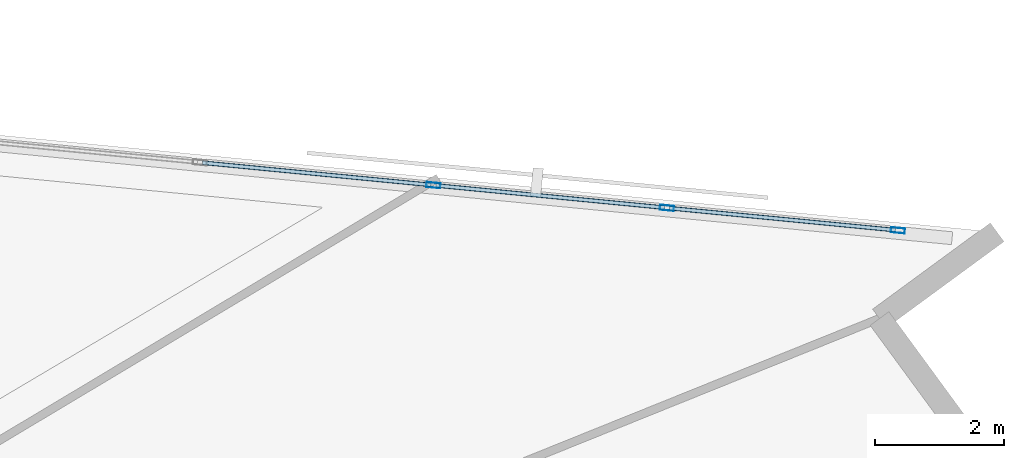
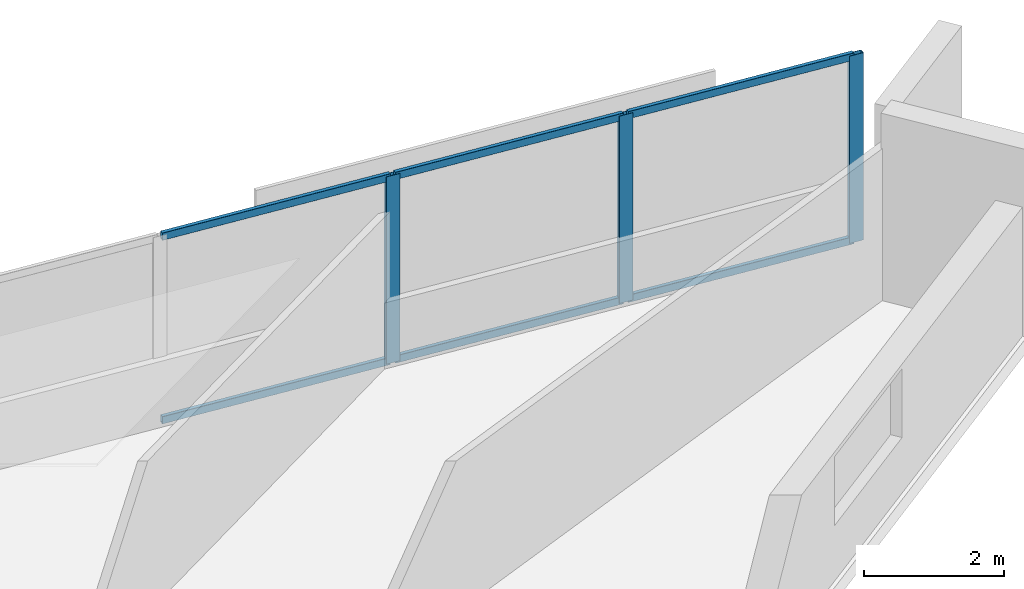
# One storey, part 6 of 13: 9 members, 1 element without a shape of its own.
"""IFC4 building model written with IfcOpenShell, lengths in metres."""

from ifc_helpers import new_model, si_unit, direction, frame, origin, origin_2d, place, context, subcontext, project, spatial, hollow_rectangle, extrude, material, material_profile, profile_set, type_object, element, aggregate, save


model = new_model("IFC4")

# Units and contexts
model_context = context("Model", 3, precision=1e-05, world=origin(), true_north=direction((0.0, 1.0)))
body_context = subcontext(model_context, "Body", "Model", "MODEL_VIEW")
ifc_project = project(units=[si_unit("LENGTHUNIT", "METRE"), si_unit("AREAUNIT", "SQUARE_METRE"), si_unit("VOLUMEUNIT", "CUBIC_METRE"), si_unit("PLANEANGLEUNIT", "RADIAN"), si_unit("MASSUNIT", "GRAM", prefix="KILO")], contexts=[model_context])

# Site, building, storey
site_placement = place(None, origin())
site = spatial("IfcSite", under=ifc_project, at=site_placement, CompositionType="ELEMENT")
building_placement = place(site_placement, origin())
building = spatial("IfcBuilding", under=site, at=building_placement, Name="Narakoshi Arena Tower", CompositionType="ELEMENT")
storey_placement = place(building_placement, frame((0.0, 0.0, 253.699951171875)))
storey = spatial("IfcBuildingStorey", under=building, at=storey_placement, Name="L69", CompositionType="ELEMENT", Elevation=253.699951171875)

# Curtain wall, members
ifc_material = material(Name="Anodised bronze aluminium 6063-T6", Category="aluminium")
curtain_wall_type = type_object("IfcCurtainWallType", Name="CW-HYP-HIGH", PredefinedType="NOTDEFINED", material=ifc_material)
curtain_wall_placement = place(storey_placement, origin())
curtain_wall = element("IfcCurtainWall", 1, at=curtain_wall_placement, inside=storey, type_object=curtain_wall_type, Name="L69 Folded Hypotenuse Curtain Wall 1-1", PredefinedType="NOTDEFINED")
ifc_material_profile_1 = material_profile(ifc_material, hollow_rectangle(XDim=0.080078125, YDim=0.219970703125, WallThickness=0.0048828125, OuterFilletRadius=0.006103515625, at=origin_2d()), Name="MUL220x80x5")
ifc_profile_set_1 = profile_set([ifc_material_profile_1], Name="Anodised bronze aluminium 6063-T6")
member_type_1 = type_object("IfcMemberType", Name="MEM-MUL-220", PredefinedType="MULLION", material=ifc_profile_set_1)
member_1_placement = place(storey_placement, frame((112.25048828125, 60.418701171875, 0.0), z_axis=(0.0, 0.0, 1.0), x_axis=(-0.096851320996, -0.995298860454, 0.0)))
member_1 = element("IfcMember", 2, at=member_1_placement, type_object=member_type_1, Name="CW-03 mullion 1", PredefinedType="MULLION", context=body_context, shape_type="SweptSolid", body=[
    extrude(hollow_rectangle(XDim=0.080078125, YDim=0.219970703125, WallThickness=0.0048828125, OuterFilletRadius=0.006103515625, at=origin_2d()), origin(), (0.0, 0.0, 1.0), 3.260009765625),
])
member_2_placement = place(storey_placement, frame((108.65869140625, 60.768310546875, 0.0), z_axis=(0.0, 0.0, 1.0), x_axis=(-0.096851320996, -0.995298860454, 0.0)))
member_2 = element("IfcMember", 3, at=member_2_placement, type_object=member_type_1, Name="CW-03 mullion 2", PredefinedType="MULLION", context=body_context, shape_type="SweptSolid", body=[
    extrude(hollow_rectangle(XDim=0.080078125, YDim=0.219970703125, WallThickness=0.0048828125, OuterFilletRadius=0.006103515625, at=origin_2d()), origin(), (0.0, 0.0, 1.0), 3.260009765625),
])
member_3_placement = place(storey_placement, frame((105.027099609375, 61.12158203125, 0.0), z_axis=(0.0, 0.0, 1.0), x_axis=(-0.096851320996, -0.995298860454, 0.0)))
member_3 = element("IfcMember", 4, at=member_3_placement, type_object=member_type_1, Name="CW-03 mullion 3", PredefinedType="MULLION", context=body_context, shape_type="SweptSolid", body=[
    extrude(hollow_rectangle(XDim=0.080078125, YDim=0.219970703125, WallThickness=0.0048828125, OuterFilletRadius=0.006103515625, at=origin_2d()), origin(), (0.0, 0.0, 1.0), 3.260009765625),
])
ifc_material_profile_2 = material_profile(ifc_material, hollow_rectangle(XDim=0.06494140625, YDim=0.1298828125, WallThickness=0.00390625, OuterFilletRadius=0.0048828125, at=origin_2d()), Name="TRN130x65x4")
ifc_profile_set_2 = profile_set([ifc_material_profile_2], Name="Anodised bronze aluminium 6063-T6")
member_type_2 = type_object("IfcMemberType", Name="MEM-TRN-130", PredefinedType="USERDEFINED", material=ifc_profile_set_2)
member_4_placement = place(storey_placement, frame((112.210693359375, 60.422607421875, 0.032470703125), z_axis=(-0.995298087829, 0.096859260598, 0.0), x_axis=(-0.096859260598, -0.995298087829, 0.0)))
member_4 = element("IfcMember", 5, at=member_4_placement, type_object=member_type_2, Name="CW-03 transom 1.1", ObjectType="TRANSOM", PredefinedType="USERDEFINED", context=body_context, shape_type="SweptSolid", body=[
    extrude(hollow_rectangle(XDim=0.06494140625, YDim=0.1298828125, WallThickness=0.00390625, OuterFilletRadius=0.0048828125, at=origin_2d()), origin(), (0.0, 0.0, 1.0), 3.52880859375),
])
member_5_placement = place(storey_placement, frame((112.210693359375, 60.422607421875, 3.2275390625), z_axis=(-0.995298087829, 0.096859260598, 0.0), x_axis=(-0.096859260598, -0.995298087829, 0.0)))
member_5 = element("IfcMember", 6, at=member_5_placement, type_object=member_type_2, Name="CW-03 transom 1.2", ObjectType="TRANSOM", PredefinedType="USERDEFINED", context=body_context, shape_type="SweptSolid", body=[
    extrude(hollow_rectangle(XDim=0.06494140625, YDim=0.1298828125, WallThickness=0.00390625, OuterFilletRadius=0.0048828125, at=origin_2d()), origin(), (0.0, 0.0, 1.0), 3.52880859375),
])
member_6_placement = place(storey_placement, frame((108.618896484375, 60.772216796875, 0.032470703125), z_axis=(-0.995303775278, 0.096800800194, 0.0), x_axis=(-0.096800800194, -0.995303775278, 0.0)))
member_6 = element("IfcMember", 7, at=member_6_placement, type_object=member_type_2, Name="CW-03 transom 2.1", ObjectType="TRANSOM", PredefinedType="USERDEFINED", context=body_context, shape_type="SweptSolid", body=[
    extrude(hollow_rectangle(XDim=0.06494140625, YDim=0.1298828125, WallThickness=0.00390625, OuterFilletRadius=0.0048828125, at=origin_2d()), origin(), (0.0, 0.0, 1.0), 3.56884765625),
])
member_7_placement = place(storey_placement, frame((108.618896484375, 60.772216796875, 3.2275390625), z_axis=(-0.995303775278, 0.096800800194, 0.0), x_axis=(-0.096800800194, -0.995303775278, 0.0)))
member_7 = element("IfcMember", 8, at=member_7_placement, type_object=member_type_2, Name="CW-03 transom 2.2", ObjectType="TRANSOM", PredefinedType="USERDEFINED", context=body_context, shape_type="SweptSolid", body=[
    extrude(hollow_rectangle(XDim=0.06494140625, YDim=0.1298828125, WallThickness=0.00390625, OuterFilletRadius=0.0048828125, at=origin_2d()), origin(), (0.0, 0.0, 1.0), 3.56884765625),
])
member_8_placement = place(storey_placement, frame((104.9873046875, 61.12548828125, 0.032470703125), z_axis=(-0.995297181926, 0.096868568947, 0.0), x_axis=(-0.096868568947, -0.995297181926, 0.0)))
member_8 = element("IfcMember", 9, at=member_8_placement, type_object=member_type_2, Name="CW-03 transom 3.1", ObjectType="TRANSOM", PredefinedType="USERDEFINED", context=body_context, shape_type="SweptSolid", body=[
    extrude(hollow_rectangle(XDim=0.06494140625, YDim=0.1298828125, WallThickness=0.00390625, OuterFilletRadius=0.0048828125, at=origin_2d()), origin(), (0.0, 0.0, 1.0), 3.56884765625),
])
member_9_placement = place(storey_placement, frame((104.9873046875, 61.12548828125, 3.2275390625), z_axis=(-0.995297181926, 0.096868568947, 0.0), x_axis=(-0.096868568947, -0.995297181926, 0.0)))
member_9 = element("IfcMember", 10, at=member_9_placement, type_object=member_type_2, Name="CW-03 transom 3.2", ObjectType="TRANSOM", PredefinedType="USERDEFINED", context=body_context, shape_type="SweptSolid", body=[
    extrude(hollow_rectangle(XDim=0.06494140625, YDim=0.1298828125, WallThickness=0.00390625, OuterFilletRadius=0.0048828125, at=origin_2d()), origin(), (0.0, 0.0, 1.0), 3.56884765625),
])
aggregate(curtain_wall, [member_1, member_2, member_3, member_4, member_5, member_6, member_7, member_8, member_9])

save(model, "model.ifc")
